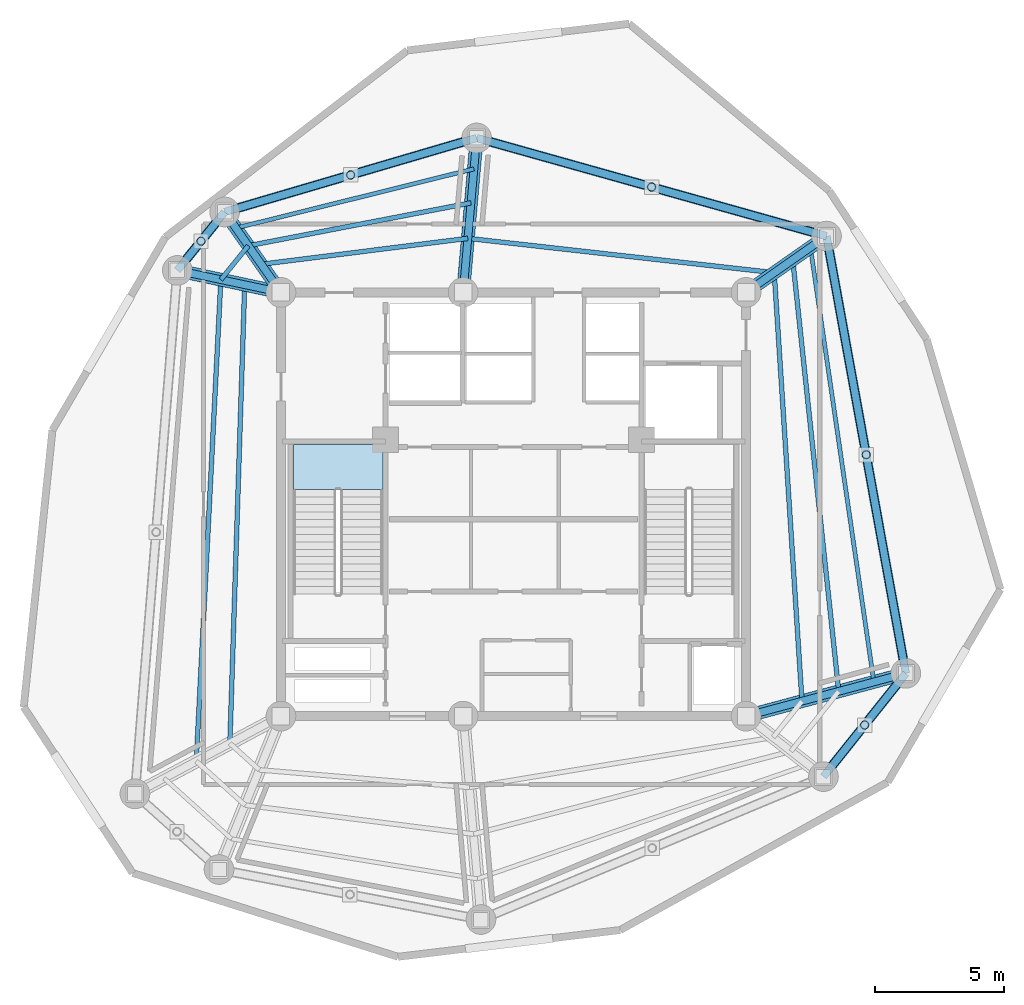
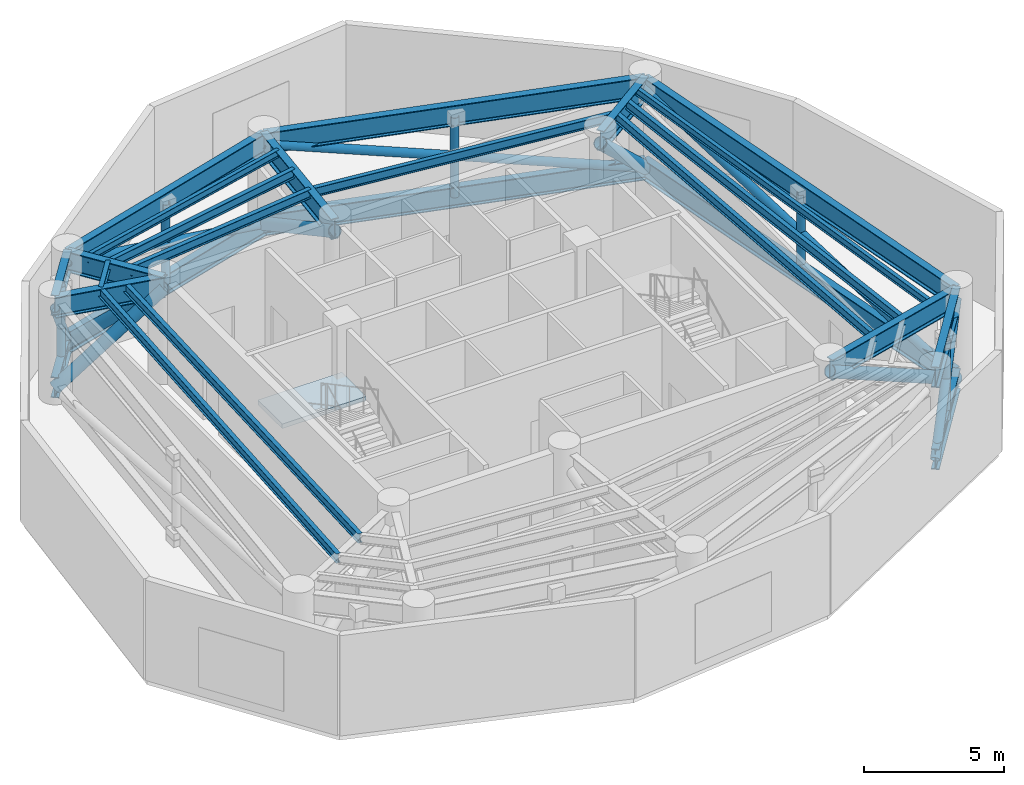
# One storey, part 2 of 8: 20 beams, 20 members, 1 slab, 1 element without a shape of its own.
"""IFC4 building model written with IfcOpenShell, lengths in metres."""

from ifc_helpers import new_model, si_unit, direction, frame, origin, origin_with_axes, origin_2d, place, context, subcontext, project, spatial, polyline, hollow_circle, i_section, outline, extrude, source, transform, mapped, material, layer, layer_set, material_profile, profile_set, type_object, element, aggregate, save


model = new_model("IFC4")

# Units and contexts
model_context = context("Model", 3, precision=1e-05, world=origin(), true_north=direction((0.0, 1.0)))
body_context = subcontext(model_context, "Body", "Model", "MODEL_VIEW")
ifc_project = project(units=[si_unit("LENGTHUNIT", "METRE"), si_unit("AREAUNIT", "SQUARE_METRE"), si_unit("VOLUMEUNIT", "CUBIC_METRE"), si_unit("PLANEANGLEUNIT", "RADIAN"), si_unit("MASSUNIT", "GRAM", prefix="KILO")], contexts=[model_context])

# Site, building, storey
site_placement = place(None, origin())
site = spatial("IfcSite", under=ifc_project, at=site_placement, CompositionType="ELEMENT")
building_placement = place(site_placement, origin())
building = spatial("IfcBuilding", under=site, at=building_placement, Name="Karkom Vertical University and Central Library", CompositionType="ELEMENT")
storey_placement = place(building_placement, frame((0.0, 0.0, 268.75)))
storey = spatial("IfcBuildingStorey", under=building, at=storey_placement, Name="P80", CompositionType="ELEMENT", Elevation=268.75)

# Beams
ifc_material_1 = material(Name="Steel S355", Category="steel")
ifc_material_profile_1 = material_profile(ifc_material_1, i_section(OverallWidth=0.179931640625, OverallDepth=0.39990234375, WebThickness=0.008544921875, FlangeThickness=0.013427734375, FilletRadius=0.02099609375, at=origin_2d()), Name="IPE 400")
ifc_profile_set_1 = profile_set([ifc_material_profile_1], Name="Steel S355")
beam_type_1 = type_object("IfcBeamType", Name="STR-BM-SB-IPE400", PredefinedType="BEAM", material=ifc_profile_set_1)
shared_shape_1 = source(origin_with_axes(), body_context, "Body", "SweptSolid", [
    extrude(i_section(OverallWidth=0.179931640625, OverallDepth=0.39990234375, WebThickness=0.008544921875, FlangeThickness=0.013427734375, FilletRadius=0.02099609375, at=origin_2d()), origin(), (0.0, 0.0, 1.0), 16.617919921875),
])
beam_1_placement = place(storey_placement, frame((39.663818359375, 18.879638671875, 4.175048828125), z_axis=(-0.064641848008, 0.997908528617, 0.0), x_axis=(-0.997908528617, -0.064641848008, 0.0)))
element("IfcBeam", 1, at=beam_1_placement, inside=storey, type_object=beam_type_1, Name="Plant Level 80 Secondary Composite Floor Beam 1.01", PredefinedType="BEAM", context=body_context, shape_type="MappedRepresentation", body=[
    mapped(shared_shape_1, transform((0.0, 0.0, 0.0), scale=1.0)),
])
shared_shape_2 = source(origin_with_axes(), body_context, "Body", "SweptSolid", [
    extrude(i_section(OverallWidth=0.179931640625, OverallDepth=0.39990234375, WebThickness=0.008544921875, FlangeThickness=0.013427734375, FilletRadius=0.02099609375, at=origin_2d()), origin(), (0.0, 0.0, 1.0), 11.9306640625),
])
beam_2_placement = place(storey_placement, frame((38.589599609375, 35.462890625, 4.175048828125), z_axis=(-0.993775454886, 0.11140172919, 0.0), x_axis=(-0.11140172919, -0.993775454886, 0.0)))
element("IfcBeam", 2, at=beam_2_placement, inside=storey, type_object=beam_type_1, Name="Plant Level 80 Secondary Composite Floor Beam 1.02", PredefinedType="BEAM", context=body_context, shape_type="MappedRepresentation", body=[
    mapped(shared_shape_2, transform((0.0, 0.0, 0.0), scale=1.0)),
])
shared_shape_3 = source(origin_with_axes(), body_context, "Body", "SweptSolid", [
    extrude(i_section(OverallWidth=0.179931640625, OverallDepth=0.39990234375, WebThickness=0.008544921875, FlangeThickness=0.013427734375, FilletRadius=0.02099609375, at=origin_2d()), origin(), (0.0, 0.0, 1.0), 8.05859375),
])
beam_3_placement = place(storey_placement, frame((26.733154296875, 36.7919921875, 4.175048828125), z_axis=(-0.99223306826, -0.124392677646, 0.0), x_axis=(0.124392677646, -0.99223306826, 0.0)))
element("IfcBeam", 3, at=beam_3_placement, inside=storey, type_object=beam_type_1, Name="Plant Level 80 Secondary Composite Floor Beam 1.03", PredefinedType="BEAM", context=body_context, shape_type="MappedRepresentation", body=[
    mapped(shared_shape_3, transform((0.0, 0.0, 0.0), scale=1.0)),
])
shared_shape_4 = source(origin_with_axes(), body_context, "Body", "SweptSolid", [
    extrude(i_section(OverallWidth=0.179931640625, OverallDepth=0.39990234375, WebThickness=0.008544921875, FlangeThickness=0.013427734375, FilletRadius=0.02099609375, at=origin_2d()), origin(), (0.0, 0.0, 1.0), 17.75927734375),
])
beam_4_placement = place(storey_placement, frame((18.096435546875, 34.998291015625, 4.175048828125), z_axis=(-0.032333437334, -0.999477137723, 0.0), x_axis=(0.999477137723, -0.032333437334, 0.0)))
element("IfcBeam", 4, at=beam_4_placement, inside=storey, type_object=beam_type_1, Name="Plant Level 80 Secondary Composite Floor Beam 1.05", PredefinedType="BEAM", context=body_context, shape_type="MappedRepresentation", body=[
    mapped(shared_shape_4, transform((0.0, 0.0, 0.0), scale=1.0)),
])
shared_shape_5 = source(origin_with_axes(), body_context, "Body", "SweptSolid", [
    extrude(i_section(OverallWidth=0.179931640625, OverallDepth=0.39990234375, WebThickness=0.008544921875, FlangeThickness=0.013427734375, FilletRadius=0.02099609375, at=origin_2d()), origin(), (0.0, 0.0, 1.0), 16.79833984375),
])
beam_5_placement = place(storey_placement, frame((41.085693359375, 19.260498046875, 4.175048828125), z_axis=(-0.105978377704, 0.994368434464, 0.0), x_axis=(-0.994368434464, -0.105978377704, 0.0)))
element("IfcBeam", 5, at=beam_5_placement, inside=storey, type_object=beam_type_1, Name="Plant Level 80 Secondary Composite Floor Beam 2.01", PredefinedType="BEAM", context=body_context, shape_type="MappedRepresentation", body=[
    mapped(shared_shape_5, transform((0.0, 0.0, 0.0), scale=1.0)),
])
shared_shape_6 = source(origin_with_axes(), body_context, "Body", "SweptSolid", [
    extrude(i_section(OverallWidth=0.179931640625, OverallDepth=0.39990234375, WebThickness=0.008544921875, FlangeThickness=0.013427734375, FilletRadius=0.02099609375, at=origin_2d()), origin(), (0.0, 0.0, 1.0), 8.7763671875),
])
beam_6_placement = place(storey_placement, frame((26.853271484375, 38.166748046875, 4.175048828125), z_axis=(-0.981924209256, -0.189274528862, 0.0), x_axis=(0.189274528862, -0.981924209256, 0.0)))
element("IfcBeam", 6, at=beam_6_placement, inside=storey, type_object=beam_type_1, Name="Plant Level 80 Secondary Composite Floor Beam 2.03", PredefinedType="BEAM", context=body_context, shape_type="MappedRepresentation", body=[
    mapped(shared_shape_6, transform((0.0, 0.0, 0.0), scale=1.0)),
])
shared_shape_7 = source(origin_with_axes(), body_context, "Body", "SweptSolid", [
    extrude(i_section(OverallWidth=0.179931640625, OverallDepth=0.39990234375, WebThickness=0.008544921875, FlangeThickness=0.013427734375, FilletRadius=0.02099609375, at=origin_2d()), origin(), (0.0, 0.0, 1.0), 1.68701171875),
])
beam_7_placement = place(storey_placement, frame((18.235595703125, 36.505615234375, 4.175048828125), z_axis=(-0.629044191861, -0.777369541908, 0.0), x_axis=(0.777369541908, -0.629044191861, 0.0)))
element("IfcBeam", 7, at=beam_7_placement, inside=storey, type_object=beam_type_1, Name="Plant Level 80 Secondary Composite Floor Beam 2.04", PredefinedType="BEAM", context=body_context, shape_type="MappedRepresentation", body=[
    mapped(shared_shape_7, transform((0.0, 0.0, 0.0), scale=1.0)),
])
shared_shape_8 = source(origin_with_axes(), body_context, "Body", "SweptSolid", [
    extrude(i_section(OverallWidth=0.179931640625, OverallDepth=0.39990234375, WebThickness=0.008544921875, FlangeThickness=0.013427734375, FilletRadius=0.02099609375, at=origin_2d()), origin(), (0.0, 0.0, 1.0), 18.661376953125),
])
beam_8_placement = place(storey_placement, frame((17.17431640625, 35.194091796875, 4.175048828125), z_axis=(-0.051009656211, -0.998698160093, 0.0), x_axis=(0.998698160093, -0.051009656211, 0.0)))
element("IfcBeam", 8, at=beam_8_placement, inside=storey, type_object=beam_type_1, Name="Plant Level 80 Secondary Composite Floor Beam 2.05", PredefinedType="BEAM", context=body_context, shape_type="MappedRepresentation", body=[
    mapped(shared_shape_8, transform((0.0, 0.0, 0.0), scale=1.0)),
])
ifc_material_profile_2 = material_profile(ifc_material_1, i_section(OverallWidth=0.159912109375, OverallDepth=0.330078125, WebThickness=0.007568359375, FlangeThickness=0.011474609375, FilletRadius=0.01806640625, at=origin_2d()), Name="IPE 330")
ifc_profile_set_2 = profile_set([ifc_material_profile_2], Name="Steel S355")
beam_type_2 = type_object("IfcBeamType", Name="STR-BM-SB-IPE330", PredefinedType="BEAM", material=ifc_profile_set_2)
shared_shape_9 = source(origin_with_axes(), body_context, "Body", "SweptSolid", [
    extrude(i_section(OverallWidth=0.159912109375, OverallDepth=0.330078125, WebThickness=0.007568359375, FlangeThickness=0.011474609375, FilletRadius=0.01806640625, at=origin_2d()), origin(), (0.0, 0.0, 1.0), 16.99755859375),
])
beam_9_placement = place(storey_placement, frame((42.445556640625, 19.624755859375, 4.2099609375), z_axis=(-0.144436985275, 0.98951400055, 0.0), x_axis=(-0.98951400055, -0.144436985275, 0.0)))
element("IfcBeam", 9, at=beam_9_placement, inside=storey, type_object=beam_type_2, Name="Plant Level 80 Secondary Composite Floor Beam 3.01", PredefinedType="BEAM", context=body_context, shape_type="MappedRepresentation", body=[
    mapped(shared_shape_9, transform((0.0, 0.0, 0.0), scale=1.0)),
])
shared_shape_10 = source(origin_with_axes(), body_context, "Body", "SweptSolid", [
    extrude(i_section(OverallWidth=0.159912109375, OverallDepth=0.330078125, WebThickness=0.007568359375, FlangeThickness=0.011474609375, FilletRadius=0.01806640625, at=origin_2d()), origin(), (0.0, 0.0, 1.0), 9.4931640625),
])
beam_10_placement = place(storey_placement, frame((26.968505859375, 39.481689453125, 4.2099609375), z_axis=(-0.970435275293, -0.241361505767, 0.0), x_axis=(0.241361505767, -0.970435275293, 0.0)))
element("IfcBeam", 10, at=beam_10_placement, inside=storey, type_object=beam_type_2, Name="Plant Level 80 Secondary Composite Floor Beam 3.03", PredefinedType="BEAM", context=body_context, shape_type="MappedRepresentation", body=[
    mapped(shared_shape_10, transform((0.0, 0.0, 0.0), scale=1.0)),
])
ifc_material_2 = material(Name="Steel S460", Category="steel")
ifc_material_profile_3 = material_profile(ifc_material_2, i_section(OverallWidth=0.300048828125, OverallDepth=0.89990234375, WebThickness=0.0185546875, FlangeThickness=0.034912109375, FilletRadius=0.030029296875, at=origin_2d()), Name="HE 900 B")
ifc_profile_set_3 = profile_set([ifc_material_profile_3], Name="Steel S460")
beam_type_3 = type_object("IfcBeamType", Name="STR-BM-SB-HE900", PredefinedType="USERDEFINED", material=ifc_profile_set_3)
shared_shape_11 = source(origin_with_axes(), body_context, "Body", "SweptSolid", [
    extrude(i_section(OverallWidth=0.300048828125, OverallDepth=0.89990234375, WebThickness=0.0185546875, FlangeThickness=0.034912109375, FilletRadius=0.030029296875, at=origin_2d()), origin(), (0.0, 0.0, 1.0), 6.39990234375),
])
beam_11_placement = place(storey_placement, frame((37.5, 18.300048828125, 3.925048828125), z_axis=(0.965942432948, 0.258757060254, 0.0), x_axis=(-0.258757060254, 0.965942432948, 0.0)))
element("IfcBeam", 11, at=beam_11_placement, inside=storey, type_object=beam_type_3, Name="Plant Level 80 Radial Frame Girder 01", ObjectType="GIRDER", PredefinedType="USERDEFINED", context=body_context, shape_type="MappedRepresentation", body=[
    mapped(shared_shape_11, transform((0.0, 0.0, 0.0), scale=1.0)),
])
shared_shape_12 = source(origin_with_axes(), body_context, "Body", "SweptSolid", [
    extrude(i_section(OverallWidth=0.300048828125, OverallDepth=0.89990234375, WebThickness=0.0185546875, FlangeThickness=0.034912109375, FilletRadius=0.030029296875, at=origin_2d()), origin(), (0.0, 0.0, 1.0), 3.80029296875),
])
for number, where, z_axis, x_axis, name in (
    (12, (37.5, 34.699951171875, 3.925048828125), (0.819132313625, 0.573604613627, 0.0), (-0.573604613627, 0.819132313625, 0.0), "Plant Level 80 Radial Frame Girder 02"),
    (13, (19.5, 34.699951171875, 3.925048828125), (-0.573604613627, 0.819132313625, 0.0), (-0.819132313625, -0.573604613627, 0.0), "Plant Level 80 Radial Frame Girder 04"),
):
    element("IfcBeam", number, at=place(storey_placement, frame(where, z_axis=z_axis, x_axis=x_axis)), inside=storey, type_object=beam_type_3, Name=name, ObjectType="GIRDER", PredefinedType="USERDEFINED", context=body_context, shape_type="MappedRepresentation", body=[
        mapped(shared_shape_12, transform((0.0, 0.0, 0.0), scale=1.0)),
    ])
shared_shape_13 = source(origin_with_axes(), body_context, "Body", "SweptSolid", [
    extrude(i_section(OverallWidth=0.300048828125, OverallDepth=0.89990234375, WebThickness=0.0185546875, FlangeThickness=0.034912109375, FilletRadius=0.030029296875, at=origin_2d()), origin(), (0.0, 0.0, 1.0), 6.0),
])
beam_12_placement = place(storey_placement, frame((26.550048828125, 34.699951171875, 3.925048828125), z_axis=(0.087159883478, 0.996194335816, 0.0), x_axis=(-0.996194335816, 0.087159883478, 0.0)))
element("IfcBeam", 14, at=beam_12_placement, inside=storey, type_object=beam_type_3, Name="Plant Level 80 Radial Frame Girder 03", ObjectType="GIRDER", PredefinedType="USERDEFINED", context=body_context, shape_type="MappedRepresentation", body=[
    mapped(shared_shape_13, transform((0.0, 0.0, 0.0), scale=1.0)),
])
shared_shape_14 = source(origin_with_axes(), body_context, "Body", "SweptSolid", [
    extrude(i_section(OverallWidth=0.300048828125, OverallDepth=0.89990234375, WebThickness=0.0185546875, FlangeThickness=0.034912109375, FilletRadius=0.030029296875, at=origin_2d()), origin(), (0.0, 0.0, 1.0), 4.099609375),
])
beam_13_placement = place(storey_placement, frame((19.5, 34.699951171875, 3.925048828125), z_axis=(-0.978162634602, 0.207840949453, 0.0), x_axis=(-0.207840949453, -0.978162634602, 0.0)))
element("IfcBeam", 15, at=beam_13_placement, inside=storey, type_object=beam_type_3, Name="Plant Level 80 Radial Frame Girder 05", ObjectType="GIRDER", PredefinedType="USERDEFINED", context=body_context, shape_type="MappedRepresentation", body=[
    mapped(shared_shape_14, transform((0.0, 0.0, 0.0), scale=1.0)),
])
shared_shape_15 = source(origin_with_axes(), body_context, "Body", "SweptSolid", [
    extrude(i_section(OverallWidth=0.300048828125, OverallDepth=0.89990234375, WebThickness=0.0185546875, FlangeThickness=0.034912109375, FilletRadius=0.030029296875, at=origin_2d()), origin(), (0.0, 0.0, 1.0), 17.19970703125),
])
beam_14_placement = place(storey_placement, frame((43.681884765625, 19.9560546875, 3.925048828125), z_axis=(-0.178423249727, 0.983953832228, 0.0), x_axis=(-0.983953832228, -0.178423249727, 0.0)))
element("IfcBeam", 16, at=beam_14_placement, inside=storey, type_object=beam_type_3, Name="Plant Level 80 Perimeter Spandrel Beam 01", ObjectType="GIRDER", PredefinedType="USERDEFINED", context=body_context, shape_type="MappedRepresentation", body=[
    mapped(shared_shape_15, transform((0.0, 0.0, 0.0), scale=1.0)),
])
shared_shape_16 = source(origin_with_axes(), body_context, "Body", "SweptSolid", [
    extrude(i_section(OverallWidth=0.300048828125, OverallDepth=0.89990234375, WebThickness=0.0185546875, FlangeThickness=0.034912109375, FilletRadius=0.030029296875, at=origin_2d()), origin(), (0.0, 0.0, 1.0), 14.0625),
])
beam_15_placement = place(storey_placement, frame((40.613037109375, 36.8798828125, 3.925048828125), z_axis=(-0.962854853531, 0.270019501207, 0.0), x_axis=(-0.270019501207, -0.962854853531, 0.0)))
element("IfcBeam", 17, at=beam_15_placement, inside=storey, type_object=beam_type_3, Name="Plant Level 80 Perimeter Spandrel Beam 02", ObjectType="GIRDER", PredefinedType="USERDEFINED", context=body_context, shape_type="MappedRepresentation", body=[
    mapped(shared_shape_16, transform((0.0, 0.0, 0.0), scale=1.0)),
])
shared_shape_17 = source(origin_with_axes(), body_context, "Body", "SweptSolid", [
    extrude(i_section(OverallWidth=0.300048828125, OverallDepth=0.89990234375, WebThickness=0.0185546875, FlangeThickness=0.034912109375, FilletRadius=0.030029296875, at=origin_2d()), origin(), (0.0, 0.0, 1.0), 10.164794921875),
])
beam_16_placement = place(storey_placement, frame((27.072998046875, 40.677001953125, 3.925048828125), z_axis=(-0.959485124536, -0.281759286971, 0.0), x_axis=(0.281759286971, -0.959485124536, 0.0)))
element("IfcBeam", 18, at=beam_16_placement, inside=storey, type_object=beam_type_3, Name="Plant Level 80 Perimeter Spandrel Beam 03", ObjectType="GIRDER", PredefinedType="USERDEFINED", context=body_context, shape_type="MappedRepresentation", body=[
    mapped(shared_shape_17, transform((0.0, 0.0, 0.0), scale=1.0)),
])
shared_shape_18 = source(origin_with_axes(), body_context, "Body", "SweptSolid", [
    extrude(i_section(OverallWidth=0.300048828125, OverallDepth=0.89990234375, WebThickness=0.0185546875, FlangeThickness=0.034912109375, FilletRadius=0.030029296875, at=origin_2d()), origin(), (0.0, 0.0, 1.0), 2.908935546875),
])
beam_17_placement = place(storey_placement, frame((17.320068359375, 37.81298828125, 3.925048828125), z_axis=(-0.629147523747, -0.777285914811, 0.0), x_axis=(0.777285914811, -0.629147523747, 0.0)))
element("IfcBeam", 19, at=beam_17_placement, inside=storey, type_object=beam_type_3, Name="Plant Level 80 Perimeter Spandrel Beam 04", ObjectType="GIRDER", PredefinedType="USERDEFINED", context=body_context, shape_type="MappedRepresentation", body=[
    mapped(shared_shape_18, transform((0.0, 0.0, 0.0), scale=1.0)),
])
shared_shape_19 = source(origin_with_axes(), body_context, "Body", "SweptSolid", [
    extrude(i_section(OverallWidth=0.300048828125, OverallDepth=0.89990234375, WebThickness=0.0185546875, FlangeThickness=0.034912109375, FilletRadius=0.030029296875, at=origin_2d()), origin(), (0.0, 0.0, 1.0), 5.112060546875),
])
beam_18_placement = place(storey_placement, frame((40.493896484375, 15.9599609375, 3.925048828125), z_axis=(0.623634459503, 0.78171609995, 0.0), x_axis=(-0.78171609995, 0.623634459503, 0.0)))
element("IfcBeam", 20, at=beam_18_placement, inside=storey, type_object=beam_type_3, Name="Plant Level 80 Perimeter Spandrel Beam 09", ObjectType="GIRDER", PredefinedType="USERDEFINED", context=body_context, shape_type="MappedRepresentation", body=[
    mapped(shared_shape_19, transform((0.0, 0.0, 0.0), scale=1.0)),
])

# Members
ifc_material_profile_4 = material_profile(ifc_material_1, hollow_circle(Radius=0.177734375, WallThickness=0.01611328125, at=origin_2d()), Name="CHS 355.6x16")
ifc_profile_set_4 = profile_set([ifc_material_profile_4], Name="Steel S355")
member_type_1 = type_object("IfcMemberType", Name="STR-MEM-BR-3", PredefinedType="BRACE", material=ifc_profile_set_4)
shared_shape_20 = source(origin_with_axes(), body_context, "Body", "SweptSolid", [
    extrude(hollow_circle(Radius=0.177734375, WallThickness=0.01611328125, at=origin_2d()), origin(), (0.0, 0.0, 1.0), 17.54736328125),
])
member_1_placement = place(storey_placement, frame((43.681884765625, 19.9560546875, 0.35009765625), z_axis=(-0.174889834737, 0.964468046459, 0.198027606827), x_axis=(-0.983953832228, -0.178423249727, 0.0)))
element("IfcMember", 21, at=member_1_placement, inside=storey, type_object=member_type_1, Name="Plant Level 80 Belt Truss Diagonal Brace 01", PredefinedType="BRACE", context=body_context, shape_type="MappedRepresentation", body=[
    mapped(shared_shape_20, transform((0.0, 0.0, 0.0), scale=1.0)),
])
ifc_material_profile_5 = material_profile(ifc_material_2, i_section(OverallWidth=0.300048828125, OverallDepth=0.89990234375, WebThickness=0.0185546875, FlangeThickness=0.034912109375, FilletRadius=0.030029296875, at=origin_2d()), Name="HE 900 B")
ifc_profile_set_5 = profile_set([ifc_material_profile_5], Name="Steel S460")
member_type_2 = type_object("IfcMemberType", Name="STR-MEM-CH-1", PredefinedType="CHORD", material=ifc_profile_set_5)
shared_shape_21 = source(origin_with_axes(), body_context, "Body", "SweptSolid", [
    extrude(i_section(OverallWidth=0.300048828125, OverallDepth=0.89990234375, WebThickness=0.0185546875, FlangeThickness=0.034912109375, FilletRadius=0.030029296875, at=origin_2d()), origin(), (0.0, 0.0, 1.0), 17.19970703125),
])
member_2_placement = place(storey_placement, frame((43.681884765625, 19.9560546875, 0.35009765625), z_axis=(-0.178423249727, 0.983953832228, 0.0), x_axis=(-0.983953832228, -0.178423249727, 0.0)))
element("IfcMember", 22, at=member_2_placement, inside=storey, type_object=member_type_2, Name="Plant Level 80 Belt Truss Bottom Chord 01", PredefinedType="CHORD", context=body_context, shape_type="MappedRepresentation", body=[
    mapped(shared_shape_21, transform((0.0, 0.0, 0.0), scale=1.0)),
])
ifc_material_profile_6 = material_profile(ifc_material_1, hollow_circle(Radius=0.161865234375, WallThickness=0.01611328125, at=origin_2d()), Name="CHS 323.9x16")
ifc_profile_set_6 = profile_set([ifc_material_profile_6], Name="Steel S355")
member_type_3 = type_object("IfcMemberType", Name="STR-MEM-PT-1", PredefinedType="POST", material=ifc_profile_set_6)
shared_shape_22 = source(origin_with_axes(), body_context, "Body", "SweptSolid", [
    extrude(hollow_circle(Radius=0.161865234375, WallThickness=0.01611328125, at=origin_2d()), origin(), (0.0, 0.0, 1.0), 3.474853515625),
])
for number, where, z_axis, x_axis, name in (
    (23, (42.1474609375, 28.41796875, 0.35009765625), (0.0, 0.0, 1.0), (1.0, 0.0, 0.0), "Plant Level 80 Belt Truss Web Post 01"),
    (24, (33.843017578125, 38.778564453125, 0.35009765625), (0.0, 0.0, 1.0), (1.0, 0.0, 0.0), "Plant Level 80 Belt Truss Web Post 02"),
    (25, (22.196533203125, 39.2451171875, 0.35009765625), (0.0, 0.0, 1.0), (1.0, 0.0, 0.0), "Plant Level 80 Belt Truss Web Post 03"),
    (26, (16.405029296875, 36.6826171875, 0.35009765625), (0.0, 0.0, 1.0), (1.0, 0.0, 0.0), "Plant Level 80 Belt Truss Web Post 04"),
    (27, (42.087890625, 17.9580078125, 0.35009765625), (0.0, 0.0, 1.0), (1.0, 0.0, 0.0), "Plant Level 80 Belt Truss Web Post 09"),
):
    element("IfcMember", number, at=place(storey_placement, frame(where, z_axis=z_axis, x_axis=x_axis)), inside=storey, type_object=member_type_3, Name=name, PredefinedType="POST", context=body_context, shape_type="MappedRepresentation", body=[
        mapped(shared_shape_22, transform((0.0, 0.0, 0.0), scale=1.0)),
    ])
shared_shape_23 = source(origin_with_axes(), body_context, "Body", "SweptSolid", [
    extrude(hollow_circle(Radius=0.177734375, WallThickness=0.01611328125, at=origin_2d()), origin(), (0.0, 0.0, 1.0), 14.4853515625),
])
member_3_placement = place(storey_placement, frame((40.613037109375, 36.8798828125, 0.35009765625), z_axis=(-0.934740176354, 0.262135123744, 0.239887431122), x_axis=(-0.270019501207, -0.962854853531, 0.0)))
element("IfcMember", 28, at=member_3_placement, inside=storey, type_object=member_type_1, Name="Plant Level 80 Belt Truss Diagonal Brace 02", PredefinedType="BRACE", context=body_context, shape_type="MappedRepresentation", body=[
    mapped(shared_shape_23, transform((0.0, 0.0, 0.0), scale=1.0)),
])
shared_shape_24 = source(origin_with_axes(), body_context, "Body", "SweptSolid", [
    extrude(i_section(OverallWidth=0.300048828125, OverallDepth=0.89990234375, WebThickness=0.0185546875, FlangeThickness=0.034912109375, FilletRadius=0.030029296875, at=origin_2d()), origin(), (0.0, 0.0, 1.0), 14.0625),
])
member_4_placement = place(storey_placement, frame((40.613037109375, 36.8798828125, 0.35009765625), z_axis=(-0.962854853531, 0.270019501207, 0.0), x_axis=(-0.270019501207, -0.962854853531, 0.0)))
element("IfcMember", 29, at=member_4_placement, inside=storey, type_object=member_type_2, Name="Plant Level 80 Belt Truss Bottom Chord 02", PredefinedType="CHORD", context=body_context, shape_type="MappedRepresentation", body=[
    mapped(shared_shape_24, transform((0.0, 0.0, 0.0), scale=1.0)),
])
shared_shape_25 = source(origin_with_axes(), body_context, "Body", "SweptSolid", [
    extrude(hollow_circle(Radius=0.177734375, WallThickness=0.01611328125, at=origin_2d()), origin(), (0.0, 0.0, 1.0), 10.7421875),
])
member_5_placement = place(storey_placement, frame((27.072998046875, 40.677001953125, 0.35009765625), z_axis=(-0.907900332245, -0.266611064323, 0.323474152119), x_axis=(0.281759286971, -0.959485124536, 0.0)))
element("IfcMember", 30, at=member_5_placement, inside=storey, type_object=member_type_1, Name="Plant Level 80 Belt Truss Diagonal Brace 03", PredefinedType="BRACE", context=body_context, shape_type="MappedRepresentation", body=[
    mapped(shared_shape_25, transform((0.0, 0.0, 0.0), scale=1.0)),
])
shared_shape_26 = source(origin_with_axes(), body_context, "Body", "SweptSolid", [
    extrude(i_section(OverallWidth=0.300048828125, OverallDepth=0.89990234375, WebThickness=0.0185546875, FlangeThickness=0.034912109375, FilletRadius=0.030029296875, at=origin_2d()), origin(), (0.0, 0.0, 1.0), 10.164794921875),
])
member_6_placement = place(storey_placement, frame((27.072998046875, 40.677001953125, 0.35009765625), z_axis=(-0.959485124536, -0.281759286971, 0.0), x_axis=(0.281759286971, -0.959485124536, 0.0)))
element("IfcMember", 31, at=member_6_placement, inside=storey, type_object=member_type_2, Name="Plant Level 80 Belt Truss Bottom Chord 03", PredefinedType="CHORD", context=body_context, shape_type="MappedRepresentation", body=[
    mapped(shared_shape_26, transform((0.0, 0.0, 0.0), scale=1.0)),
])
shared_shape_27 = source(origin_with_axes(), body_context, "Body", "SweptSolid", [
    extrude(hollow_circle(Radius=0.177734375, WallThickness=0.01611328125, at=origin_2d()), origin(), (0.0, 0.0, 1.0), 4.53173828125),
])
member_7_placement = place(storey_placement, frame((17.320068359375, 37.81298828125, 0.35009765625), z_axis=(-0.403843657235, -0.498932245151, 0.766796527939), x_axis=(0.777285914811, -0.629147523747, 0.0)))
element("IfcMember", 32, at=member_7_placement, inside=storey, type_object=member_type_1, Name="Plant Level 80 Belt Truss Diagonal Brace 04", PredefinedType="BRACE", context=body_context, shape_type="MappedRepresentation", body=[
    mapped(shared_shape_27, transform((0.0, 0.0, 0.0), scale=1.0)),
])
shared_shape_28 = source(origin_with_axes(), body_context, "Body", "SweptSolid", [
    extrude(i_section(OverallWidth=0.300048828125, OverallDepth=0.89990234375, WebThickness=0.0185546875, FlangeThickness=0.034912109375, FilletRadius=0.030029296875, at=origin_2d()), origin(), (0.0, 0.0, 1.0), 2.908935546875),
])
member_8_placement = place(storey_placement, frame((17.320068359375, 37.81298828125, 0.35009765625), z_axis=(-0.629147523747, -0.777285914811, 0.0), x_axis=(0.777285914811, -0.629147523747, 0.0)))
element("IfcMember", 33, at=member_8_placement, inside=storey, type_object=member_type_2, Name="Plant Level 80 Belt Truss Bottom Chord 04", PredefinedType="CHORD", context=body_context, shape_type="MappedRepresentation", body=[
    mapped(shared_shape_28, transform((0.0, 0.0, 0.0), scale=1.0)),
])
shared_shape_29 = source(origin_with_axes(), body_context, "Body", "SweptSolid", [
    extrude(hollow_circle(Radius=0.177734375, WallThickness=0.01611328125, at=origin_2d()), origin(), (0.0, 0.0, 1.0), 6.18115234375),
])
member_9_placement = place(storey_placement, frame((40.493896484375, 15.9599609375, 0.35009765625), z_axis=(0.515759557577, 0.646496587411, 0.562169228288), x_axis=(-0.78171609995, 0.623634459503, 0.0)))
element("IfcMember", 34, at=member_9_placement, inside=storey, type_object=member_type_1, Name="Plant Level 80 Belt Truss Diagonal Brace 09", PredefinedType="BRACE", context=body_context, shape_type="MappedRepresentation", body=[
    mapped(shared_shape_29, transform((0.0, 0.0, 0.0), scale=1.0)),
])
shared_shape_30 = source(origin_with_axes(), body_context, "Body", "SweptSolid", [
    extrude(i_section(OverallWidth=0.300048828125, OverallDepth=0.89990234375, WebThickness=0.0185546875, FlangeThickness=0.034912109375, FilletRadius=0.030029296875, at=origin_2d()), origin(), (0.0, 0.0, 1.0), 5.112060546875),
])
member_10_placement = place(storey_placement, frame((40.493896484375, 15.9599609375, 0.35009765625), z_axis=(0.623634459503, 0.78171609995, 0.0), x_axis=(-0.78171609995, 0.623634459503, 0.0)))
element("IfcMember", 35, at=member_10_placement, inside=storey, type_object=member_type_2, Name="Plant Level 80 Belt Truss Bottom Chord 09", PredefinedType="CHORD", context=body_context, shape_type="MappedRepresentation", body=[
    mapped(shared_shape_30, transform((0.0, 0.0, 0.0), scale=1.0)),
])
ifc_material_profile_7 = material_profile(ifc_material_2, hollow_circle(Radius=0.25390625, WallThickness=0.02490234375, at=origin_2d()), Name="CHS 508x25")
ifc_profile_set_7 = profile_set([ifc_material_profile_7], Name="Steel S460")
member_type_4 = type_object("IfcMemberType", Name="STR-MEM-BR-1", PredefinedType="BRACE", material=ifc_profile_set_7)
shared_shape_31 = source(origin_with_axes(), body_context, "Body", "SweptSolid", [
    extrude(hollow_circle(Radius=0.25390625, WallThickness=0.02490234375, at=origin_2d()), origin(), (0.0, 0.0, 1.0), 7.282470703125),
])
member_11_placement = place(storey_placement, frame((37.5, 18.300048828125, 3.824951171875), z_axis=(0.848885652129, 0.227399841175, -0.477160834357), x_axis=(-0.258757060254, 0.965942432948, 0.0)))
element("IfcMember", 36, at=member_11_placement, inside=storey, type_object=member_type_4, Name="Plant Level 80 Outrigger Truss Diagonal 01", PredefinedType="BRACE", context=body_context, shape_type="MappedRepresentation", body=[
    mapped(shared_shape_31, transform((0.0, 0.0, 0.0), scale=1.0)),
])
shared_shape_32 = source(origin_with_axes(), body_context, "Body", "SweptSolid", [
    extrude(hollow_circle(Radius=0.25390625, WallThickness=0.02490234375, at=origin_2d()), origin(), (0.0, 0.0, 1.0), 5.1494140625),
])
for number, where, z_axis, x_axis, name in (
    (37, (37.5, 34.699951171875, 3.824951171875), (0.604527828751, 0.423325933881, -0.674789787986), (-0.573604613627, 0.819132313625, 0.0), "Plant Level 80 Outrigger Truss Diagonal 02"),
    (38, (19.5, 34.699951171875, 3.824951171875), (-0.423325933881, 0.604527828751, -0.674789787986), (-0.819132313625, -0.573604613627, 0.0), "Plant Level 80 Outrigger Truss Diagonal 04"),
):
    element("IfcMember", number, at=place(storey_placement, frame(where, z_axis=z_axis, x_axis=x_axis)), inside=storey, type_object=member_type_4, Name=name, PredefinedType="BRACE", context=body_context, shape_type="MappedRepresentation", body=[
        mapped(shared_shape_32, transform((0.0, 0.0, 0.0), scale=1.0)),
    ])
shared_shape_33 = source(origin_with_axes(), body_context, "Body", "SweptSolid", [
    extrude(hollow_circle(Radius=0.25390625, WallThickness=0.02490234375, at=origin_2d()), origin(), (0.0, 0.0, 1.0), 6.93359375),
])
member_12_placement = place(storey_placement, frame((26.550048828125, 34.699951171875, 3.824951171875), z_axis=(0.075423714558, 0.862055732867, -0.501169808263), x_axis=(-0.996194335816, 0.087159883478, 0.0)))
element("IfcMember", 39, at=member_12_placement, inside=storey, type_object=member_type_4, Name="Plant Level 80 Outrigger Truss Diagonal 03", PredefinedType="BRACE", context=body_context, shape_type="MappedRepresentation", body=[
    mapped(shared_shape_33, transform((0.0, 0.0, 0.0), scale=1.0)),
])
shared_shape_34 = source(origin_with_axes(), body_context, "Body", "SweptSolid", [
    extrude(hollow_circle(Radius=0.25390625, WallThickness=0.02490234375, at=origin_2d()), origin(), (0.0, 0.0, 1.0), 5.3740234375),
])
member_13_placement = place(storey_placement, frame((19.5, 34.699951171875, 3.824951171875), z_axis=(-0.746175529813, 0.158548103443, -0.64659460066), x_axis=(-0.207840949453, -0.978162634602, 0.0)))
element("IfcMember", 40, at=member_13_placement, inside=storey, type_object=member_type_4, Name="Plant Level 80 Outrigger Truss Diagonal 05", PredefinedType="BRACE", context=body_context, shape_type="MappedRepresentation", body=[
    mapped(shared_shape_34, transform((0.0, 0.0, 0.0), scale=1.0)),
])

# Stair, slab
ifc_material_3 = material(Name="Concrete C45/55", Category="concrete")
stair_type = type_object("IfcStairType", Name="INT-STR-ST-MAIN", PredefinedType="HALF_TURN_STAIR", material=ifc_material_3)
stair_placement = place(storey_placement, origin())
stair = element("IfcStair", 41, at=stair_placement, inside=storey, type_object=stair_type, Name="Plant Level 80 Tower Protected Exit Stair ST-1", PredefinedType="HALF_TURN_STAIR")
ifc_layer = layer(ifc_material_3, 0.199951171875)
ifc_layer_set = layer_set([ifc_layer], Name="Concrete C45/55")
slab_type = type_object("IfcSlabType", Name="INT-SLB-LANDING", PredefinedType="LANDING", material=ifc_layer_set)
slab_placement = place(storey_placement, frame((0.0, 0.0, 2.125)))
slab = element("IfcSlab", 42, at=slab_placement, type_object=slab_type, Name="ST-1 landing 1", PredefinedType="LANDING", context=body_context, shape_type="SweptSolid", body=[
    extrude(outline(polyline([(23.43994140625, 27.080078125), (23.43994140625, 28.820068359375), (19.97998046875, 28.820068359375), (19.97998046875, 27.080078125), (23.43994140625, 27.080078125)])), origin(), (0.0, 0.0, 1.0), 0.199951171875),
])
aggregate(stair, [slab])

save(model, "model.ifc")
